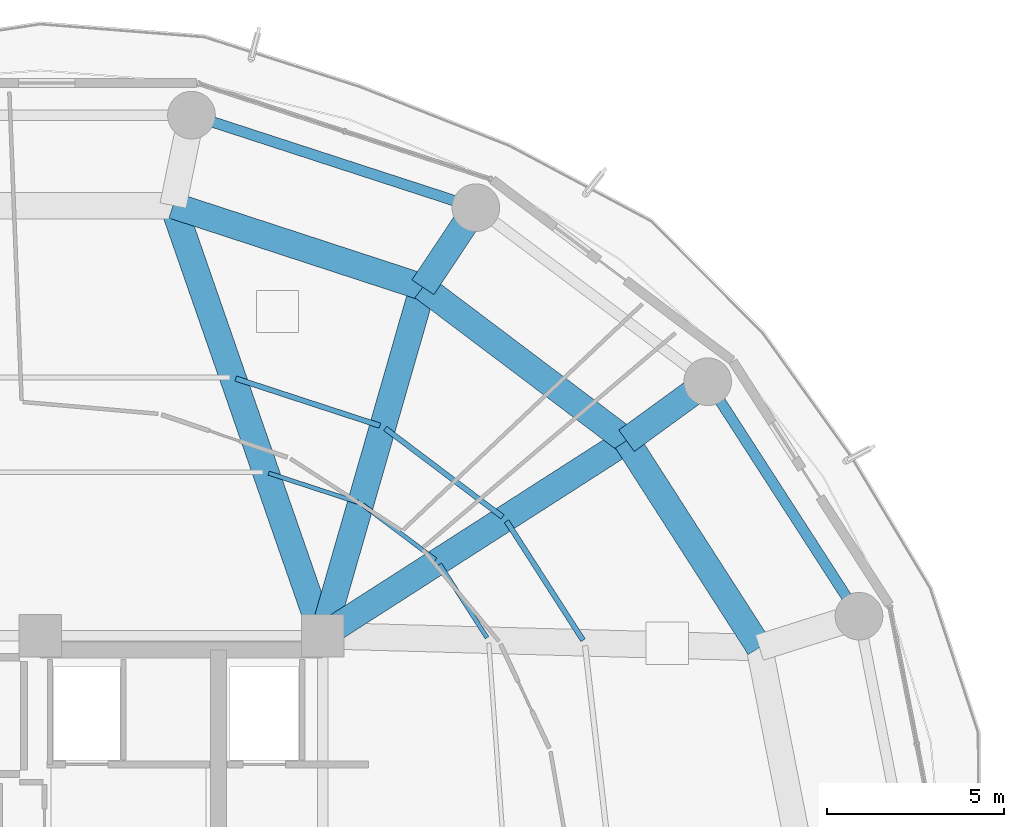
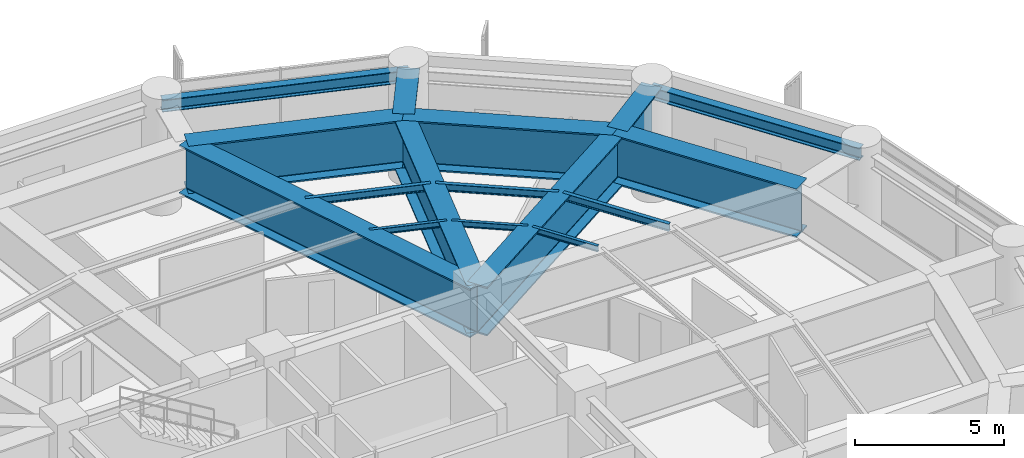
# One storey, part 22 of 34: 16 beams.
"""IFC4 building model written with IfcOpenShell, lengths in metres."""

from ifc_helpers import new_model, si_unit, direction, frame, origin, origin_2d, place, context, subcontext, project, spatial, i_section, extrude, material, material_profile, profile_set, type_object, element, save


model = new_model("IFC4")

# Units and contexts
model_context = context("Model", 3, precision=1e-05, world=origin(), true_north=direction((0.0, 1.0)))
body_context = subcontext(model_context, "Body", "Model", "MODEL_VIEW")
ifc_project = project(units=[si_unit("LENGTHUNIT", "METRE"), si_unit("AREAUNIT", "SQUARE_METRE"), si_unit("VOLUMEUNIT", "CUBIC_METRE"), si_unit("PLANEANGLEUNIT", "RADIAN"), si_unit("MASSUNIT", "GRAM", prefix="KILO")], contexts=[model_context])

# Site, building, storey
site_placement = place(None, origin())
site = spatial("IfcSite", under=ifc_project, at=site_placement, CompositionType="ELEMENT")
building_placement = place(site_placement, origin())
building = spatial("IfcBuilding", under=site, at=building_placement, Name="Kelanora Arch Commons", CompositionType="ELEMENT")
storey_placement = place(building_placement, frame((0.0, 0.0, 125.10009765625)))
storey = spatial("IfcBuildingStorey", under=building, at=storey_placement, Name="L32", CompositionType="ELEMENT", Elevation=125.10009765625)

# Beams
ifc_material = material(Name="Steel S355", Category="steel")
ifc_material_profile_1 = material_profile(ifc_material, i_section(OverallWidth=0.14990234375, OverallDepth=0.300048828125, WebThickness=0.007080078125, FlangeThickness=0.0107421875, FilletRadius=0.014892578125, at=origin_2d()), Name="IPE300")
ifc_profile_set_1 = profile_set([ifc_material_profile_1], Name="Steel S355")
beam_type_1 = type_object("IfcBeamType", Name="BM-JST-01", PredefinedType="JOIST", material=ifc_profile_set_1)
beam_1_placement = place(storey_placement, frame((89.377685546875, 64.869140625, 4.2099609375), z_axis=(-0.540594434398, 0.841283339606, 0.0), x_axis=(-0.841283339606, -0.540594434398, 0.0)))
element("IfcBeam", 1, at=beam_1_placement, inside=storey, type_object=beam_type_1, Name="Secondary Chord Joist BJB-02 L32", PredefinedType="JOIST", context=body_context, shape_type="SweptSolid", body=[
    extrude(i_section(OverallWidth=0.14990234375, OverallDepth=0.300048828125, WebThickness=0.007080078125, FlangeThickness=0.0107421875, FilletRadius=0.014892578125, at=origin_2d()), origin(), (0.0, 0.0, 1.0), 4.008544921875),
])
beam_2_placement = place(storey_placement, frame((87.0966796875, 68.364013671875, 4.2099609375), z_axis=(-0.798463547891, 0.602043156833, 0.0), x_axis=(-0.602043156833, -0.798463547891, 0.0)))
element("IfcBeam", 2, at=beam_2_placement, inside=storey, type_object=beam_type_1, Name="Secondary Chord Joist BJB-04 L32", PredefinedType="JOIST", context=body_context, shape_type="SweptSolid", body=[
    extrude(i_section(OverallWidth=0.14990234375, OverallDepth=0.300048828125, WebThickness=0.007080078125, FlangeThickness=0.0107421875, FilletRadius=0.014892578125, at=origin_2d()), origin(), (0.0, 0.0, 1.0), 4.163818359375),
])
beam_3_placement = place(storey_placement, frame((83.623291015625, 70.948486328125, 4.2099609375), z_axis=(-0.950469179307, 0.310818820518, 0.0), x_axis=(-0.310818820518, -0.950469179307, 0.0)))
element("IfcBeam", 3, at=beam_3_placement, inside=storey, type_object=beam_type_1, Name="Secondary Chord Joist BJB-06 L32", PredefinedType="JOIST", context=body_context, shape_type="SweptSolid", body=[
    extrude(i_section(OverallWidth=0.14990234375, OverallDepth=0.300048828125, WebThickness=0.007080078125, FlangeThickness=0.0107421875, FilletRadius=0.014892578125, at=origin_2d()), origin(), (0.0, 0.0, 1.0), 4.296630859375),
])
ifc_material_profile_2 = material_profile(ifc_material, i_section(OverallWidth=0.1201171875, OverallDepth=0.239990234375, WebThickness=0.006103515625, FlangeThickness=0.009765625, FilletRadius=0.014892578125, at=origin_2d()), Name="IPE240")
ifc_profile_set_2 = profile_set([ifc_material_profile_2], Name="Steel S355")
beam_type_2 = type_object("IfcBeamType", Name="BM-JST-02", PredefinedType="JOIST", material=ifc_profile_set_2)
beam_4_placement = place(storey_placement, frame((86.655517578125, 64.943359375, 4.239990234375), z_axis=(-0.540583174025, 0.841290575224, 0.0), x_axis=(-0.841290575224, -0.540583174025, 0.0)))
element("IfcBeam", 4, at=beam_4_placement, inside=storey, type_object=beam_type_2, Name="Secondary Chord Joist BJA-02 L32", PredefinedType="JOIST", context=body_context, shape_type="SweptSolid", body=[
    extrude(i_section(OverallWidth=0.1201171875, OverallDepth=0.239990234375, WebThickness=0.006103515625, FlangeThickness=0.009765625, FilletRadius=0.014892578125, at=origin_2d()), origin(), (0.0, 0.0, 1.0), 2.476318359375),
])
beam_5_placement = place(storey_placement, frame((85.203125, 67.1494140625, 4.239990234375), z_axis=(-0.798484118859, 0.602015873487, 0.0), x_axis=(-0.602015873487, -0.798484118859, 0.0)))
element("IfcBeam", 5, at=beam_5_placement, inside=storey, type_object=beam_type_2, Name="Secondary Chord Joist BJA-04 L32", PredefinedType="JOIST", context=body_context, shape_type="SweptSolid", body=[
    extrude(i_section(OverallWidth=0.1201171875, OverallDepth=0.239990234375, WebThickness=0.006103515625, FlangeThickness=0.009765625, FilletRadius=0.014892578125, at=origin_2d()), origin(), (0.0, 0.0, 1.0), 2.57470703125),
])
beam_6_placement = place(storey_placement, frame((82.998291015625, 68.777099609375, 4.239990234375), z_axis=(-0.950458806818, 0.310850537302, 0.0), x_axis=(-0.310850537302, -0.950458806818, 0.0)))
element("IfcBeam", 6, at=beam_6_placement, inside=storey, type_object=beam_type_2, Name="Secondary Chord Joist BJA-06 L32", PredefinedType="JOIST", context=body_context, shape_type="SweptSolid", body=[
    extrude(i_section(OverallWidth=0.1201171875, OverallDepth=0.239990234375, WebThickness=0.006103515625, FlangeThickness=0.009765625, FilletRadius=0.014892578125, at=origin_2d()), origin(), (0.0, 0.0, 1.0), 2.658447265625),
])
ifc_material_profile_3 = material_profile(ifc_material, i_section(OverallWidth=0.300048828125, OverallDepth=0.5, WebThickness=0.014404296875, FlangeThickness=0.028076171875, FilletRadius=0.027099609375, at=origin_2d()), Name="HEB500")
ifc_profile_set_3 = profile_set([ifc_material_profile_3], Name="Steel S355")
beam_type_3 = type_object("IfcBeamType", Name="BM-SPN-Z2", PredefinedType="SPANDREL", material=ifc_profile_set_3)
beam_7_placement = place(storey_placement, frame((97.191650390625, 65.5517578125, 4.10986328125), z_axis=(-0.542221144054, 0.840235818649, 0.0), x_axis=(-0.840235818649, -0.542221144054, 0.0)))
element("IfcBeam", 7, at=beam_7_placement, inside=storey, type_object=beam_type_3, Name="Perimeter Spandrel Beam BS-02 L32", PredefinedType="SPANDREL", context=body_context, shape_type="SweptSolid", body=[
    extrude(i_section(OverallWidth=0.300048828125, OverallDepth=0.5, WebThickness=0.014404296875, FlangeThickness=0.028076171875, FilletRadius=0.027099609375, at=origin_2d()), origin(), (0.0, 0.0, 1.0), 7.90380859375),
])
beam_8_placement = place(storey_placement, frame((86.340087890625, 77.121826171875, 4.10986328125), z_axis=(-0.950856631974, 0.309631499418, 0.0), x_axis=(-0.309631499418, -0.950856631974, 0.0)))
element("IfcBeam", 8, at=beam_8_placement, inside=storey, type_object=beam_type_3, Name="Perimeter Spandrel Beam BS-06 L32", PredefinedType="SPANDREL", context=body_context, shape_type="SweptSolid", body=[
    extrude(i_section(OverallWidth=0.300048828125, OverallDepth=0.5, WebThickness=0.014404296875, FlangeThickness=0.028076171875, FilletRadius=0.027099609375, at=origin_2d()), origin(), (0.0, 0.0, 1.0), 8.470703125),
])
ifc_material_profile_4 = material_profile(ifc_material, i_section(OverallWidth=0.75, OverallDepth=2.0, WebThickness=0.034912109375, FlangeThickness=0.06005859375, FilletRadius=0.028076171875, at=origin_2d()), Name="PG2000x750")
ifc_profile_set_4 = profile_set([ifc_material_profile_4], Name="Steel S355")
beam_type_4 = type_object("IfcBeamType", Name="BM-XFER-SET", PredefinedType="USERDEFINED", material=ifc_profile_set_4)
beam_9_placement = place(storey_placement, frame((82.0, 65.0, 3.35986328125), z_axis=(0.841719465748, 0.539915123868, 0.0), x_axis=(-0.539915123868, 0.841719465748, 0.0)))
element("IfcBeam", 9, at=beam_9_placement, inside=storey, type_object=beam_type_4, Name="Setback Radial Transfer Girder BRI-04 L32", ObjectType="TRANSFER_GIRDER", PredefinedType="USERDEFINED", context=body_context, shape_type="SweptSolid", body=[
    extrude(i_section(OverallWidth=0.75, OverallDepth=2.0, WebThickness=0.034912109375, FlangeThickness=0.06005859375, FilletRadius=0.028076171875, at=origin_2d()), origin(), (0.0, 0.0, 1.0), 10.2265625),
])
beam_10_placement = place(storey_placement, frame((90.60791015625, 70.521484375, 3.35986328125), z_axis=(0.808728653653, 0.588181914683, 0.0), x_axis=(-0.588181914683, 0.808728653653, 0.0)))
element("IfcBeam", 10, at=beam_10_placement, inside=storey, type_object=beam_type_4, Name="Radial Floor Girder BR-04 L32", ObjectType="TRANSFER_GIRDER", PredefinedType="USERDEFINED", context=body_context, shape_type="SweptSolid", body=[
    extrude(i_section(OverallWidth=0.75, OverallDepth=2.0, WebThickness=0.034912109375, FlangeThickness=0.06005859375, FilletRadius=0.028076171875, at=origin_2d()), origin(), (0.0, 0.0, 1.0), 2.841552734375),
])
beam_11_placement = place(storey_placement, frame((82.0, 65.0, 3.35986328125), z_axis=(0.276525880065, 0.961006471182, 0.0), x_axis=(-0.961006471182, 0.276525880065, 0.0)))
element("IfcBeam", 11, at=beam_11_placement, inside=storey, type_object=beam_type_4, Name="Setback Radial Transfer Girder BRI-06 L32", ObjectType="TRANSFER_GIRDER", PredefinedType="USERDEFINED", context=body_context, shape_type="SweptSolid", body=[
    extrude(i_section(OverallWidth=0.75, OverallDepth=2.0, WebThickness=0.034912109375, FlangeThickness=0.06005859375, FilletRadius=0.028076171875, at=origin_2d()), origin(), (0.0, 0.0, 1.0), 10.2705078125),
])
beam_12_placement = place(storey_placement, frame((84.840087890625, 74.8701171875, 3.35986328125), z_axis=(0.554408631196, 0.832244597252, 0.0), x_axis=(-0.832244597252, 0.554408631196, 0.0)))
element("IfcBeam", 12, at=beam_12_placement, inside=storey, type_object=beam_type_4, Name="Radial Floor Girder BR-06 L32", ObjectType="TRANSFER_GIRDER", PredefinedType="USERDEFINED", context=body_context, shape_type="SweptSolid", body=[
    extrude(i_section(OverallWidth=0.75, OverallDepth=2.0, WebThickness=0.034912109375, FlangeThickness=0.06005859375, FilletRadius=0.028076171875, at=origin_2d()), origin(), (0.0, 0.0, 1.0), 2.70556640625),
])
beam_13_placement = place(storey_placement, frame((82.0, 65.0, 3.35986328125), z_axis=(-0.328341500991, 0.94455908165, 0.0), x_axis=(-0.94455908165, -0.328341500991, 0.0)))
element("IfcBeam", 13, at=beam_13_placement, inside=storey, type_object=beam_type_4, Name="Setback Radial Transfer Girder BRI-08 L32", ObjectType="TRANSFER_GIRDER", PredefinedType="USERDEFINED", context=body_context, shape_type="SweptSolid", body=[
    extrude(i_section(OverallWidth=0.75, OverallDepth=2.0, WebThickness=0.034912109375, FlangeThickness=0.06005859375, FilletRadius=0.028076171875, at=origin_2d()), origin(), (0.0, 0.0, 1.0), 12.899169921875),
])
beam_14_placement = place(storey_placement, frame((94.37255859375, 64.66259765625, 3.35986328125), z_axis=(-0.540576852469, 0.841294637196, 0.0), x_axis=(-0.841294637196, -0.540576852469, 0.0)))
element("IfcBeam", 14, at=beam_14_placement, inside=storey, type_object=beam_type_4, Name="Setback Inner Transfer Ring BSI-02 L32", ObjectType="TRANSFER_GIRDER", PredefinedType="USERDEFINED", context=body_context, shape_type="SweptSolid", body=[
    extrude(i_section(OverallWidth=0.75, OverallDepth=2.0, WebThickness=0.034912109375, FlangeThickness=0.06005859375, FilletRadius=0.028076171875, at=origin_2d()), origin(), (0.0, 0.0, 1.0), 6.964111328125),
])
beam_15_placement = place(storey_placement, frame((90.60791015625, 70.521484375, 3.35986328125), z_axis=(-0.798484645564, 0.60201517489, 0.0), x_axis=(-0.60201517489, -0.798484645564, 0.0)))
element("IfcBeam", 15, at=beam_15_placement, inside=storey, type_object=beam_type_4, Name="Setback Inner Transfer Ring BSI-04 L32", ObjectType="TRANSFER_GIRDER", PredefinedType="USERDEFINED", context=body_context, shape_type="SweptSolid", body=[
    extrude(i_section(OverallWidth=0.75, OverallDepth=2.0, WebThickness=0.034912109375, FlangeThickness=0.06005859375, FilletRadius=0.028076171875, at=origin_2d()), origin(), (0.0, 0.0, 1.0), 7.223388671875),
])
beam_16_placement = place(storey_placement, frame((84.840087890625, 74.8701171875, 3.35986328125), z_axis=(-0.950461975786, 0.310840847676, 0.0), x_axis=(-0.310840847676, -0.950461975786, 0.0)))
element("IfcBeam", 16, at=beam_16_placement, inside=storey, type_object=beam_type_4, Name="Setback Inner Transfer Ring BSI-06 L32", ObjectType="TRANSFER_GIRDER", PredefinedType="USERDEFINED", context=body_context, shape_type="SweptSolid", body=[
    extrude(i_section(OverallWidth=0.75, OverallDepth=2.0, WebThickness=0.034912109375, FlangeThickness=0.06005859375, FilletRadius=0.028076171875, at=origin_2d()), origin(), (0.0, 0.0, 1.0), 7.444091796875),
])

save(model, "model.ifc")
